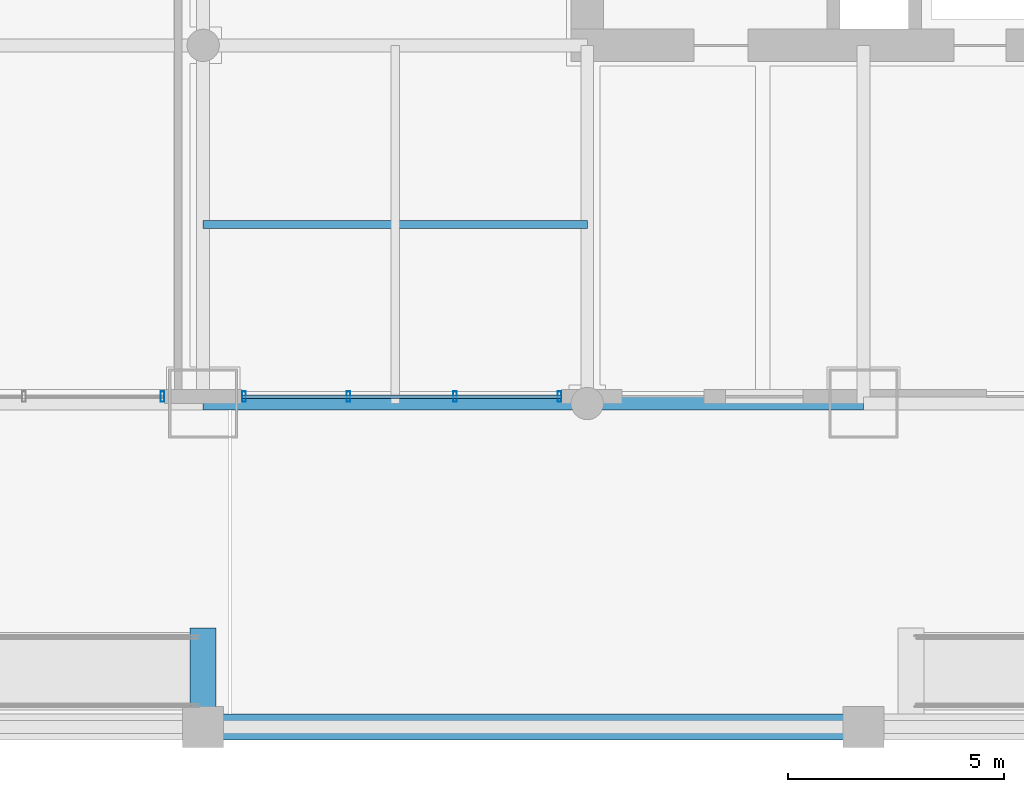
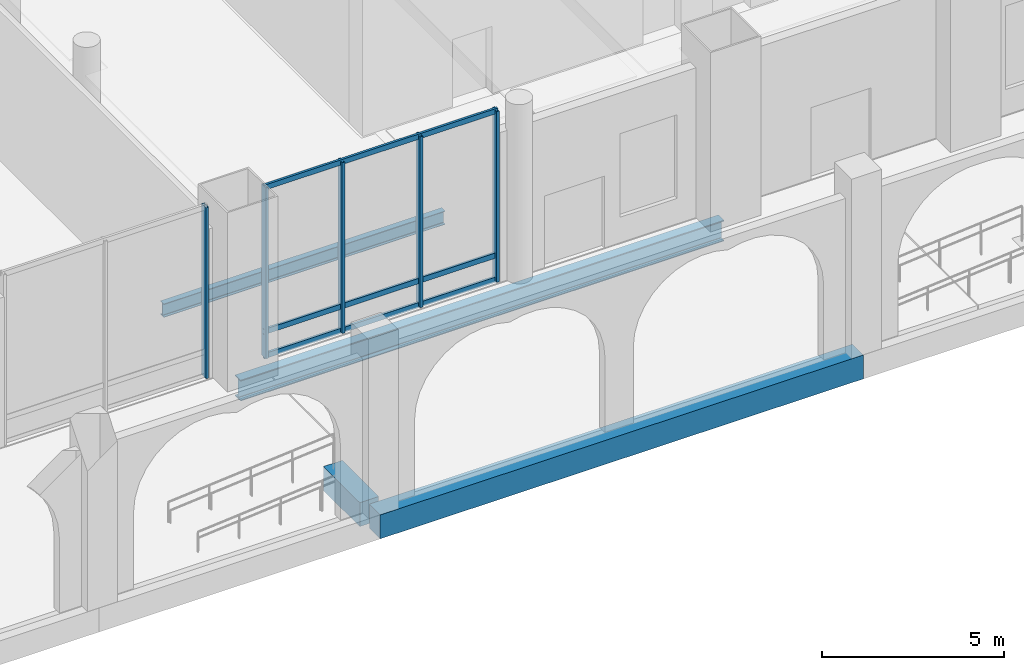
# One storey, part 3 of 32: 8 members, 4 beams, 2 elements without a shape of their own.
"""IFC4 building model written with IfcOpenShell, lengths in metres."""

from ifc_helpers import new_model, si_unit, direction, frame, origin, origin_2d, place, context, subcontext, project, spatial, rectangle, hollow_rectangle, i_section, extrude, material, material_profile, profile_set, type_object, element, aggregate, save


model = new_model("IFC4")

# Units and contexts
model_context = context("Model", 3, precision=1e-05, world=origin(), true_north=direction((0.0, 1.0)))
body_context = subcontext(model_context, "Body", "Model", "MODEL_VIEW")
ifc_project = project(units=[si_unit("LENGTHUNIT", "METRE"), si_unit("AREAUNIT", "SQUARE_METRE"), si_unit("VOLUMEUNIT", "CUBIC_METRE"), si_unit("PLANEANGLEUNIT", "RADIAN"), si_unit("MASSUNIT", "GRAM", prefix="KILO")], contexts=[model_context])

# Site, building, storey
site_placement = place(None, origin())
site = spatial("IfcSite", under=ifc_project, at=site_placement, CompositionType="ELEMENT")
building_placement = place(site_placement, origin())
building = spatial("IfcBuilding", under=site, at=building_placement, Name="Punatoya Terracotta Tower", CompositionType="ELEMENT")
storey_placement = place(building_placement, origin())
storey = spatial("IfcBuildingStorey", under=building, at=storey_placement, Name="L00", CompositionType="ELEMENT", Elevation=0.0)

# Beams
ifc_material_1 = material(Name="Steel S355", Category="steel")
ifc_material_profile_1 = material_profile(ifc_material_1, i_section(OverallWidth=0.300048828125, OverallDepth=0.699951171875, WebThickness=0.01708984375, FlangeThickness=0.031982421875, FilletRadius=0.01806640625, at=origin_2d()))
ifc_profile_set_1 = profile_set([ifc_material_profile_1], Name="Steel S355")
beam_type_1 = type_object("IfcBeamType", Name="BM-PRI-700", PredefinedType="BEAM", material=ifc_profile_set_1)
beam_1_placement = place(storey_placement, frame((-19.10009765625, -17.5, -0.6298828125), z_axis=(1.0, 0.0, 0.0), x_axis=(0.0, 1.0, 0.0)))
element("IfcBeam", 1, at=beam_1_placement, inside=storey, type_object=beam_type_1, Name="BM-L00-RG-S1", PredefinedType="BEAM", context=body_context, shape_type="SweptSolid", body=[
    extrude(i_section(OverallWidth=0.300048828125, OverallDepth=0.699951171875, WebThickness=0.01708984375, FlangeThickness=0.031982421875, FilletRadius=0.01806640625, at=origin_2d()), origin(), (0.0, 0.0, 1.0), 15.300048828125),
])
ifc_material_2 = material(Name="Concrete C45/55", Category="concrete")
ifc_material_profile_2 = material_profile(ifc_material_2, rectangle(XDim=0.60009765625, YDim=0.800048828125, at=origin_2d()))
ifc_profile_set_2 = profile_set([ifc_material_profile_2], Name="Concrete C45/55")
beam_type_2 = type_object("IfcBeamType", Name="BM-RC-GRD", PredefinedType="BEAM", material=ifc_profile_set_2)
beam_2_placement = place(storey_placement, frame((-19.10009765625, -25.0, -0.550048828125), z_axis=(1.0, 0.0, 0.0), x_axis=(0.0, 1.0, 0.0)))
element("IfcBeam", 2, at=beam_2_placement, inside=storey, type_object=beam_type_2, Name="GB-PROM-3", PredefinedType="BEAM", context=body_context, shape_type="SweptSolid", body=[
    extrude(rectangle(XDim=0.60009765625, YDim=0.800048828125, at=origin_2d()), origin(), (0.0, 0.0, 1.0), 15.300048828125),
])
beam_3_placement = place(storey_placement, frame((-19.10009765625, -24.699951171875, -0.39990234375), z_axis=(0.0, 1.0, 0.0), x_axis=(-1.0, 0.0, 0.0)))
element("IfcBeam", 3, at=beam_3_placement, inside=storey, type_object=beam_type_2, Name="GB-PR1-HI", PredefinedType="BEAM", context=body_context, shape_type="SweptSolid", body=[
    extrude(rectangle(XDim=0.60009765625, YDim=0.800048828125, at=origin_2d()), origin(), (0.0, 0.0, 1.0), 2.0),
])
ifc_material_profile_3 = material_profile(ifc_material_1, i_section(OverallWidth=0.18994140625, OverallDepth=0.449951171875, WebThickness=0.009521484375, FlangeThickness=0.0146484375, FilletRadius=0.01806640625, at=origin_2d()))
ifc_profile_set_3 = profile_set([ifc_material_profile_3], Name="Steel S355")
beam_type_3 = type_object("IfcBeamType", Name="BM-SEC-450", PredefinedType="JOIST", material=ifc_profile_set_3)
beam_4_placement = place(storey_placement, frame((-19.10009765625, -13.35009765625, -0.5048828125), z_axis=(1.0, 0.0, 0.0), x_axis=(0.0, 1.0, 0.0)))
element("IfcBeam", 4, at=beam_4_placement, inside=storey, type_object=beam_type_3, Name="BM-L00-SJS-1", PredefinedType="JOIST", context=body_context, shape_type="SweptSolid", body=[
    extrude(i_section(OverallWidth=0.18994140625, OverallDepth=0.449951171875, WebThickness=0.009521484375, FlangeThickness=0.0146484375, FilletRadius=0.01806640625, at=origin_2d()), origin(), (0.0, 0.0, 1.0), 8.900146484375),
])

# Curtain wall, member
ifc_material_3 = material(Name="Aluminium 6063-T6 + Double Low-E Glass", Category="aluminium")
curtain_wall_type = type_object("IfcCurtainWallType", Name="CW-POD", PredefinedType="NOTDEFINED", material=ifc_material_3)
curtain_wall_1_placement = place(storey_placement, origin())
curtain_wall_1 = element("IfcCurtainWall", 5, at=curtain_wall_1_placement, inside=storey, type_object=curtain_wall_type, Name="L00 Curtain Wall CWP-L00-S1A", PredefinedType="NOTDEFINED")
ifc_material_4 = material(Name="Aluminium 6063-T6", Category="aluminium")
ifc_material_profile_4 = material_profile(ifc_material_4, hollow_rectangle(XDim=0.0849609375, YDim=0.239990234375, WallThickness=0.0048828125, at=origin_2d()))
ifc_profile_set_4 = profile_set([ifc_material_profile_4], Name="Aluminium 6063-T6")
member_type_1 = type_object("IfcMemberType", Name="CW-MUL-POD", PredefinedType="MULLION", material=ifc_profile_set_4)
member_1_placement = place(storey_placement, frame((-20.044921875, -17.340087890625, 0.0), z_axis=(0.0, 0.0, 1.0), x_axis=(1.0, 0.0, 0.0)))
member_1 = element("IfcMember", 6, at=member_1_placement, type_object=member_type_1, Name="CWP-L00-S1A Mullion 02", PredefinedType="MULLION", context=body_context, shape_type="SweptSolid", body=[
    extrude(hollow_rectangle(XDim=0.0849609375, YDim=0.239990234375, WallThickness=0.0048828125, at=origin_2d()), origin(), (0.0, 0.0, 1.0), 5.719970703125),
])
aggregate(curtain_wall_1, [member_1])

# Curtain wall, members
curtain_wall_2_placement = place(storey_placement, origin())
curtain_wall_2 = element("IfcCurtainWall", 7, at=curtain_wall_2_placement, inside=storey, type_object=curtain_wall_type, Name="L00 Curtain Wall CWP-L00-S1B", PredefinedType="NOTDEFINED")
member_2_placement = place(storey_placement, frame((-18.155029296875, -17.340087890625, 0.0), z_axis=(0.0, 0.0, 1.0), x_axis=(1.0, 0.0, 0.0)))
member_2 = element("IfcMember", 8, at=member_2_placement, type_object=member_type_1, Name="CWP-L00-S1B Mullion 00", PredefinedType="MULLION", context=body_context, shape_type="SweptSolid", body=[
    extrude(hollow_rectangle(XDim=0.0849609375, YDim=0.239990234375, WallThickness=0.0048828125, at=origin_2d()), origin(), (0.0, 0.0, 1.0), 5.719970703125),
])
member_3_placement = place(storey_placement, frame((-15.7333984375, -17.340087890625, 0.0), z_axis=(0.0, 0.0, 1.0), x_axis=(1.0, 0.0, 0.0)))
member_3 = element("IfcMember", 9, at=member_3_placement, type_object=member_type_1, Name="CWP-L00-S1B Mullion 01", PredefinedType="MULLION", context=body_context, shape_type="SweptSolid", body=[
    extrude(hollow_rectangle(XDim=0.0849609375, YDim=0.239990234375, WallThickness=0.0048828125, at=origin_2d()), origin(), (0.0, 0.0, 1.0), 5.719970703125),
])
member_4_placement = place(storey_placement, frame((-13.2666015625, -17.340087890625, 0.0), z_axis=(0.0, 0.0, 1.0), x_axis=(1.0, 0.0, 0.0)))
member_4 = element("IfcMember", 10, at=member_4_placement, type_object=member_type_1, Name="CWP-L00-S1B Mullion 02", PredefinedType="MULLION", context=body_context, shape_type="SweptSolid", body=[
    extrude(hollow_rectangle(XDim=0.0849609375, YDim=0.239990234375, WallThickness=0.0048828125, at=origin_2d()), origin(), (0.0, 0.0, 1.0), 5.719970703125),
])
member_5_placement = place(storey_placement, frame((-10.844970703125, -17.340087890625, 0.0), z_axis=(0.0, 0.0, 1.0), x_axis=(1.0, 0.0, 0.0)))
member_5 = element("IfcMember", 11, at=member_5_placement, type_object=member_type_1, Name="CWP-L00-S1B Mullion 03", PredefinedType="MULLION", context=body_context, shape_type="SweptSolid", body=[
    extrude(hollow_rectangle(XDim=0.0849609375, YDim=0.239990234375, WallThickness=0.0048828125, at=origin_2d()), origin(), (0.0, 0.0, 1.0), 5.719970703125),
])
ifc_material_profile_5 = material_profile(ifc_material_4, hollow_rectangle(XDim=0.074951171875, YDim=0.175048828125, WallThickness=0.00439453125, at=origin_2d()))
ifc_profile_set_5 = profile_set([ifc_material_profile_5], Name="Aluminium 6063-T6")
member_type_2 = type_object("IfcMemberType", Name="CW-TRN-POD", PredefinedType="USERDEFINED", material=ifc_profile_set_5)
member_6_placement = place(storey_placement, frame((-18.199951171875, -17.340087890625, 0.0400390625), z_axis=(1.0, 0.0, 0.0), x_axis=(0.0, 1.0, 0.0)))
member_6 = element("IfcMember", 12, at=member_6_placement, type_object=member_type_2, Name="CWP-L00-S1B Transom 1", ObjectType="TRANSOM", PredefinedType="USERDEFINED", context=body_context, shape_type="SweptSolid", body=[
    extrude(hollow_rectangle(XDim=0.074951171875, YDim=0.175048828125, WallThickness=0.00439453125, at=origin_2d()), origin(), (0.0, 0.0, 1.0), 7.39990234375),
])
member_7_placement = place(storey_placement, frame((-18.199951171875, -17.340087890625, 0.85009765625), z_axis=(1.0, 0.0, 0.0), x_axis=(0.0, 1.0, 0.0)))
member_7 = element("IfcMember", 13, at=member_7_placement, type_object=member_type_2, Name="CWP-L00-S1B Transom 2", ObjectType="TRANSOM", PredefinedType="USERDEFINED", context=body_context, shape_type="SweptSolid", body=[
    extrude(hollow_rectangle(XDim=0.074951171875, YDim=0.175048828125, WallThickness=0.00439453125, at=origin_2d()), origin(), (0.0, 0.0, 1.0), 7.39990234375),
])
member_8_placement = place(storey_placement, frame((-18.199951171875, -17.340087890625, 5.679931640625), z_axis=(1.0, 0.0, 0.0), x_axis=(0.0, 1.0, 0.0)))
member_8 = element("IfcMember", 14, at=member_8_placement, type_object=member_type_2, Name="CWP-L00-S1B Transom 3", ObjectType="TRANSOM", PredefinedType="USERDEFINED", context=body_context, shape_type="SweptSolid", body=[
    extrude(hollow_rectangle(XDim=0.074951171875, YDim=0.175048828125, WallThickness=0.00439453125, at=origin_2d()), origin(), (0.0, 0.0, 1.0), 7.39990234375),
])
aggregate(curtain_wall_2, [member_2, member_3, member_4, member_5, member_6, member_7, member_8])

save(model, "model.ifc")
